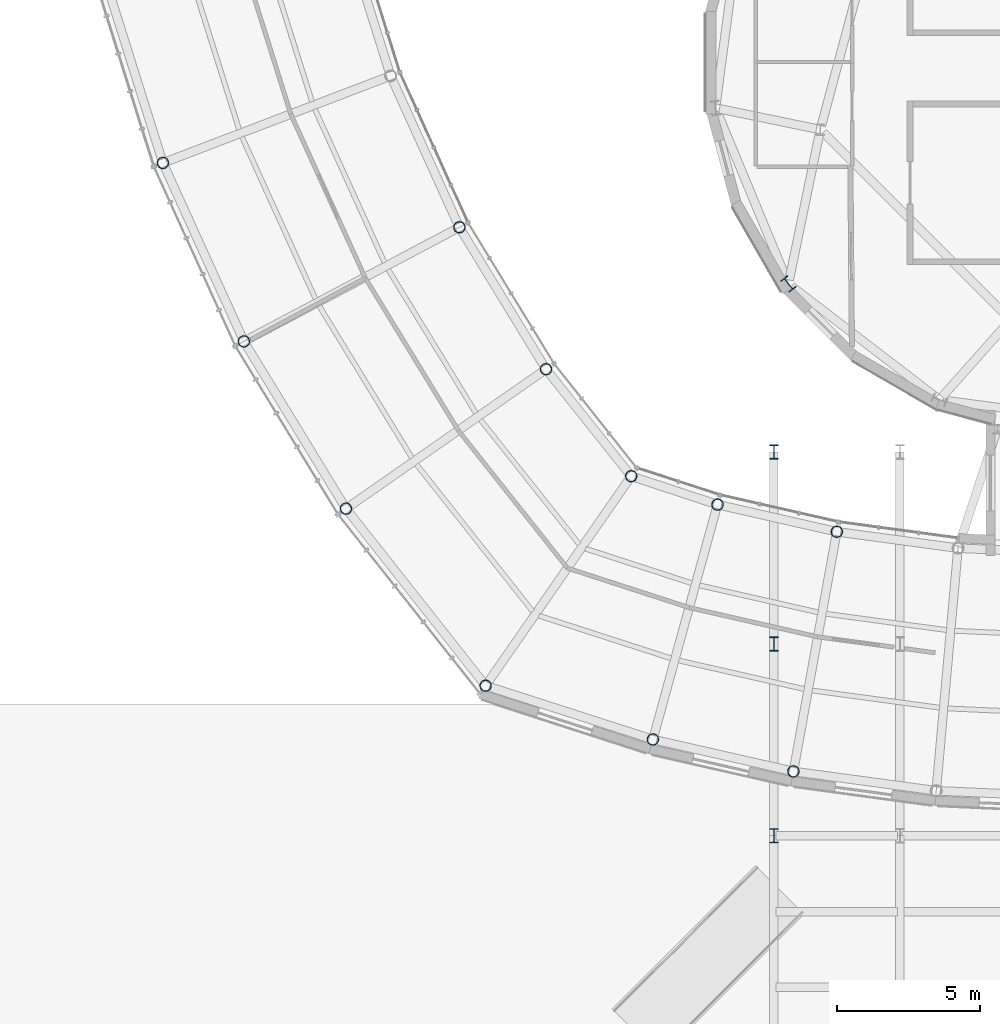
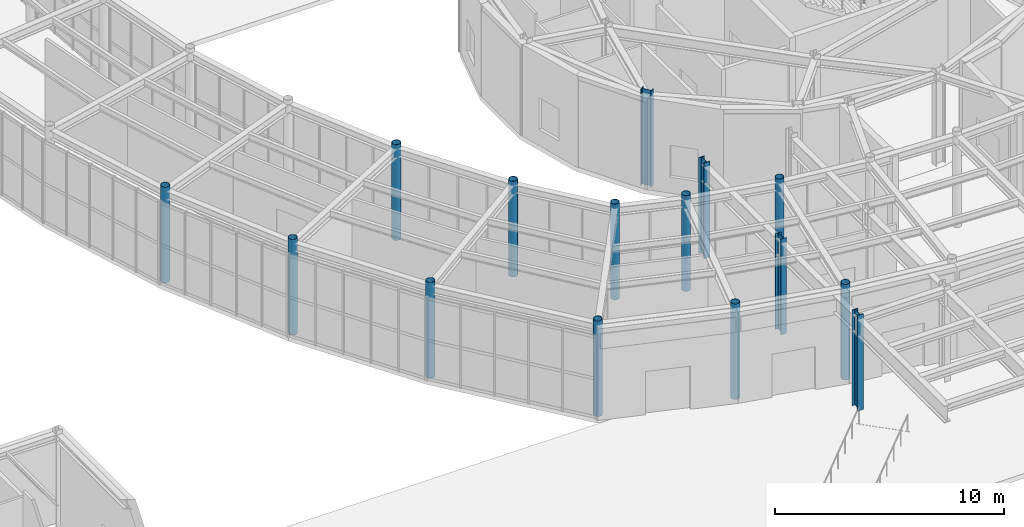
# One storey, part 2 of 97: 15 columns.
"""IFC4 building model written with IfcOpenShell, lengths in metres."""

from ifc_helpers import new_model, si_unit, direction, frame, origin, origin_2d, place, context, subcontext, project, spatial, hollow_circle, i_section, extrude, material, material_profile, profile_set, type_object, element, save


model = new_model("IFC4")

# Units and contexts
model_context = context("Model", 3, precision=1e-05, world=origin(), true_north=direction((0.0, 1.0)))
body_context = subcontext(model_context, "Body", "Model", "MODEL_VIEW")
ifc_project = project(units=[si_unit("LENGTHUNIT", "METRE"), si_unit("AREAUNIT", "SQUARE_METRE"), si_unit("VOLUMEUNIT", "CUBIC_METRE"), si_unit("PLANEANGLEUNIT", "RADIAN"), si_unit("MASSUNIT", "GRAM", prefix="KILO")], contexts=[model_context])

# Site, building, storey
site_placement = place(None, origin())
site = spatial("IfcSite", under=ifc_project, at=site_placement, CompositionType="ELEMENT")
building_placement = place(site_placement, origin())
building = spatial("IfcBuilding", under=site, at=building_placement, Name="Varnklinge Art Gallery", CompositionType="ELEMENT")
storey_placement = place(building_placement, origin())
storey = spatial("IfcBuildingStorey", under=building, at=storey_placement, Name="L00", CompositionType="ELEMENT", Elevation=0.0)

# Columns
ifc_material_1 = material(Name="Steel S355", Category="steel")
ifc_material_profile_1 = material_profile(ifc_material_1, i_section(OverallWidth=0.300048828125, OverallDepth=0.5, WebThickness=0.014404296875, FlangeThickness=0.028076171875, FilletRadius=0.027099609375, at=origin_2d()), Name="HEB 500")
ifc_profile_set_1 = profile_set([ifc_material_profile_1], Name="Steel S355")
column_type_1 = type_object("IfcColumnType", Name="COL-E1", PredefinedType="COLUMN", material=ifc_profile_set_1)
for number, where, z_axis, x_axis, name in (
    (1, (65.305419921875, 30.677490234375, 0.0), (0.0, 0.0, 1.0), (-0.793353340291, -0.608761429009, 0.0), "L00 Column V4CP-08"),
    (2, (64.800048828125, 11.39990234375, 0.0), (0.0, 0.0, 1.0), (1.0, 0.0, 0.0), "L00 Column CAN-FC-1"),
    (3, (64.800048828125, 18.10009765625, 0.0), (0.0, 0.0, 1.0), (1.0, 0.0, 0.0), "L00 Column CAN-MB-1"),
    (4, (64.800048828125, 24.800048828125, 0.0), (0.0, 0.0, 1.0), (1.0, 0.0, 0.0), "L00 Column CAN-BK-1"),
):
    element("IfcColumn", number, at=place(storey_placement, frame(where, z_axis=z_axis, x_axis=x_axis)), inside=storey, type_object=column_type_1, Name=name, PredefinedType="COLUMN", context=body_context, shape_type="SweptSolid", body=[
        extrude(i_section(OverallWidth=0.300048828125, OverallDepth=0.5, WebThickness=0.014404296875, FlangeThickness=0.028076171875, FilletRadius=0.027099609375, at=origin_2d()), origin(), (0.0, 0.0, 1.0), 5.10009765625),
    ])
ifc_material_2 = material(Name="Steel S355", Category="steel")
ifc_material_profile_2 = material_profile(ifc_material_2, hollow_circle(Radius=0.203125, WallThickness=0.02001953125, at=origin_2d()), Name="CHS 406.4x20")
ifc_profile_set_2 = profile_set([ifc_material_profile_2], Name="Steel S355")
column_type_2 = type_object("IfcColumnType", Name="COL-E5", PredefinedType="COLUMN", material=ifc_profile_set_2)
for number, where, z_axis, x_axis, name in (
    (5, (43.45361328125, 34.90283203125, 0.0), (0.0, 0.0, 1.0), (0.934017558691, 0.357227098715, 0.0), "L00 Column V2CO-30"),
    (6, (46.28369140625, 28.6689453125, 0.0), (0.0, 0.0, 1.0), (0.883683947469, 0.468084053333, 0.0), "L00 Column V2CO-31"),
    (7, (53.810302734375, 32.655517578125, 0.0), (0.0, 0.0, 1.0), (0.883683947469, 0.468084053333, 0.0), "L00 Column V2CI-31"),
    (8, (49.85009765625, 22.8251953125, 0.0), (0.0, 0.0, 1.0), (0.820351542489, 0.571859551582, 0.0), "L00 Column V2CO-32"),
    (9, (56.8369140625, 27.6962890625, 0.0), (0.0, 0.0, 1.0), (0.820351542489, 0.571859551582, 0.0), "L00 Column V2CI-32"),
    (10, (54.72900390625, 16.64013671875, 0.0), (0.0, 0.0, 1.0), (0.570570241419, 0.821248804935, 0.0), "L00 Column V2CO-33"),
    (11, (59.814208984375, 23.958984375, 0.0), (0.0, 0.0, 1.0), (0.570570241419, 0.821248804935, 0.0), "L00 Column V2CI-33"),
    (12, (60.5703125, 14.7626953125, 0.0), (0.0, 0.0, 1.0), (0.265387847052, 0.964141737836, 0.0), "L00 Column V2CO-34"),
    (13, (62.82861328125, 22.966796875, 0.0), (0.0, 0.0, 1.0), (0.265387847052, 0.964141737836, 0.0), "L00 Column V2CI-34"),
    (14, (65.479736328125, 13.64501953125, 0.0), (0.0, 0.0, 1.0), (0.178115290264, 0.984009625651, 0.0), "L00 Column V2CO-35"),
    (15, (66.99560546875, 22.018310546875, 0.0), (0.0, 0.0, 1.0), (0.178115290264, 0.984009625651, 0.0), "L00 Column V2CI-35"),
):
    element("IfcColumn", number, at=place(storey_placement, frame(where, z_axis=z_axis, x_axis=x_axis)), inside=storey, type_object=column_type_2, Name=name, PredefinedType="COLUMN", context=body_context, shape_type="SweptSolid", body=[
        extrude(hollow_circle(Radius=0.203125, WallThickness=0.02001953125, at=origin_2d()), origin(), (0.0, 0.0, 1.0), 5.10009765625),
    ])

save(model, "model.ifc")
